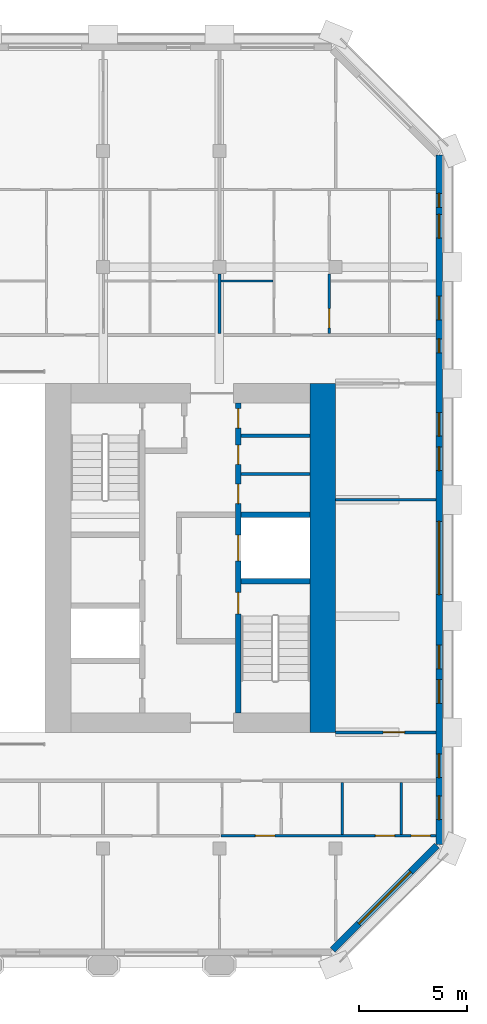
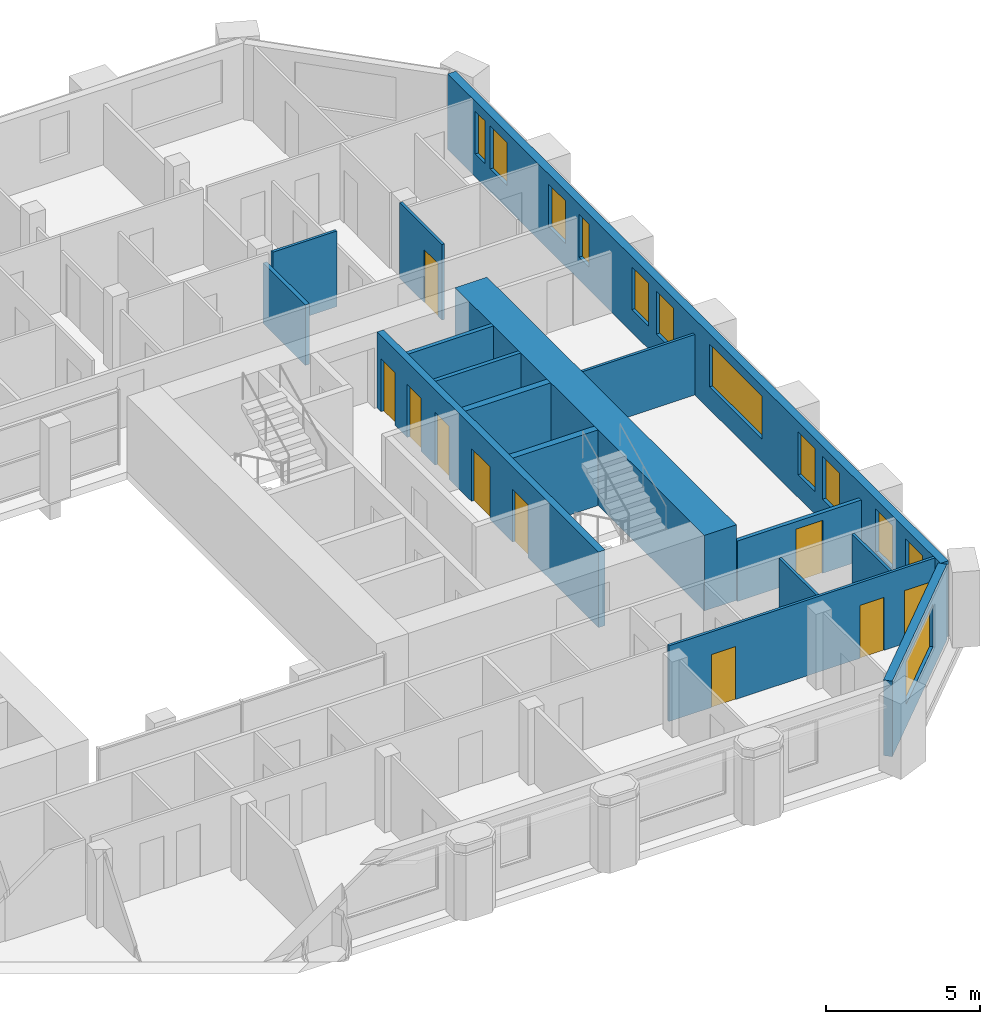
# One storey, part 7 of 13: 16 walls, 12 windows, 10 doors, 22 openings.
"""IFC4 building model written with IfcOpenShell, lengths in metres."""

from ifc_helpers import new_model, si_unit, direction, frame, frame_2d, origin, place, context, subcontext, project, spatial, rectangle, extrude, material, layer, layer_set, type_object, element, fill, save


model = new_model("IFC4")

# Units and contexts
model_context = context("Model", 3, precision=1e-05, world=origin(), true_north=direction((0.0, 1.0)))
body_context = subcontext(model_context, "Body", "Model", "MODEL_VIEW")
ifc_project = project(units=[si_unit("LENGTHUNIT", "METRE"), si_unit("AREAUNIT", "SQUARE_METRE"), si_unit("VOLUMEUNIT", "CUBIC_METRE"), si_unit("PLANEANGLEUNIT", "RADIAN"), si_unit("MASSUNIT", "GRAM", prefix="KILO")], contexts=[model_context])

# Site, building, storey
site_placement = place(None, origin())
site = spatial("IfcSite", under=ifc_project, at=site_placement, CompositionType="ELEMENT")
building_placement = place(site_placement, origin())
building = spatial("IfcBuilding", under=site, at=building_placement, Name="Tabaq Tower and Sports Hall", CompositionType="ELEMENT")
storey_placement = place(building_placement, frame((0.0, 0.0, 295.0)))
storey = spatial("IfcBuildingStorey", under=building, at=storey_placement, Name="L73", CompositionType="ELEMENT", Elevation=295.0)

# Walls
ifc_material_1 = material(Name="Blockwork", Category="masonry")
ifc_layer_1 = layer(ifc_material_1, 0.14990234375)
ifc_layer_set_1 = layer_set([ifc_layer_1], Name="Core room partition 150 Blockwork")
wall_type_1 = type_object("IfcWallType", Name="Core room partition 150 Blockwork", PredefinedType="PARTITIONING", material=ifc_layer_set_1)
for number, where, z_axis, x_axis, name in (
    (1, (38.800048828125, 28.200927734375, 0.0), (0.0, 0.0, 1.0), (1.0, 0.0, 0.0), "Core room partition E L73"),
    (2, (38.800048828125, 29.97705078125, 0.0), (0.0, 0.0, 1.0), (1.0, 0.0, 0.0), "Core room partition E L73"),
):
    element("IfcWall", number, at=place(storey_placement, frame(where, z_axis=z_axis, x_axis=x_axis)), inside=storey, type_object=wall_type_1, Name=name, PredefinedType="PARTITIONING", context=body_context, shape_type="SweptSolid", body=[
        extrude(rectangle(XDim=3.199951171875, YDim=0.14990234375, at=frame_2d((1.60009765625, 0.0))), origin(), (0.0, 0.0, 1.0), 3.0),
    ])
ifc_material_2 = material(Name="Concrete C40/50", Category="concrete")
ifc_layer_2 = layer(ifc_material_2, 1.199951171875)
ifc_layer_set_2 = layer_set([ifc_layer_2], Name="Core wall 1200 Concrete C40/50")
wall_type_2 = type_object("IfcWallType", Name="Core wall 1200 Concrete C40/50", PredefinedType="SOLIDWALL", material=ifc_layer_set_2)
wall_1_placement = place(storey_placement, frame((42.60009765625, 32.39990234375, 0.0), z_axis=(0.0, 0.0, 1.0), x_axis=(0.0, -1.0, 0.0)))
element("IfcWall", 3, at=wall_1_placement, inside=storey, type_object=wall_type_2, Name="Core wall E L73", PredefinedType="SOLIDWALL", context=body_context, shape_type="SweptSolid", body=[
    extrude(rectangle(XDim=16.199951171875, YDim=1.199951171875, at=frame_2d((8.10009765625, 0.0))), origin(), (0.0, 0.0, 1.0), 3.0),
])
ifc_material_3 = material(Name="Gypsum board on steel studs", Category="steel")
ifc_layer_3 = layer(ifc_material_3, 0.10009765625)
ifc_layer_set_3 = layer_set([ifc_layer_3], Name="Partition 100 Gypsum board")
wall_type_3 = type_object("IfcWallType", Name="Partition 100 Gypsum board", PredefinedType="PARTITIONING", material=ifc_layer_set_3)
wall_2_placement = place(storey_placement, frame((37.875, 37.14990234375, 0.0), z_axis=(0.0, 0.0, 1.0), x_axis=(1.0, 0.0, 0.0)))
element("IfcWall", 4, at=wall_2_placement, inside=storey, type_object=wall_type_3, Name="Partition wall L73", PredefinedType="PARTITIONING", context=body_context, shape_type="SweptSolid", body=[
    extrude(rectangle(XDim=2.406005859375, YDim=0.10009765625, at=frame_2d((1.203125, 0.0))), origin(), (0.0, 0.0, 1.0), 3.0),
])

# Wall, opening, door
wall_3_placement = place(storey_placement, frame((42.89990234375, 34.72509765625, 0.0), z_axis=(0.0, 0.0, 1.0), x_axis=(0.0, 1.0, 0.0)))
wall_3 = element("IfcWall", 5, at=wall_3_placement, inside=storey, type_object=wall_type_3, Name="Partition wall L73", PredefinedType="PARTITIONING", context=body_context, shape_type="SweptSolid", body=[
    extrude(rectangle(XDim=2.7548828125, YDim=0.10009765625, at=frame_2d((1.37744140625, 0.0))), origin(), (0.0, 0.0, 1.0), 3.0),
])
opening_1_placement = place(wall_3_placement, frame((0.25, 0.0, 0.0)))
opening_1 = element("IfcOpeningElement", 6, at=opening_1_placement, cuts=wall_3, Name="Opening L73-015", PredefinedType="OPENING", context=body_context, shape_type="SweptSolid", body=[
    extrude(rectangle(XDim=0.89990234375, YDim=2.10009765625, at=frame_2d((0.449951171875, 1.050048828125))), frame((0.0, 0.050048828125, 0.0), z_axis=(0.0, -1.0, 0.0), x_axis=(1.0, 0.0, 0.0)), (0.0, 0.0, 1.0), 0.10009765625),
])
ifc_material_4 = material(Name="Timber leaf in steel frame", Category="steel")
door_type_1 = type_object("IfcDoorType", Name="Internal door 900 left hand", OperationType="SINGLE_SWING_LEFT", PredefinedType="DOOR", material=ifc_material_4)
door_1_placement = place(opening_1_placement, origin())
door_1 = element("IfcDoor", 7, at=door_1_placement, inside=storey, type_object=door_type_1, Name="Internal door L73-015", OperationType="SINGLE_SWING_LEFT", OverallHeight=2.10009765625, OverallWidth=0.89990234375, PredefinedType="DOOR", context=body_context, shape_type="SweptSolid", body=[
    extrude(rectangle(XDim=0.89990234375, YDim=2.10009765625, at=frame_2d((0.449951171875, 1.050048828125))), frame((0.0, 0.02490234375, 0.0), z_axis=(0.0, -1.0, 0.0), x_axis=(1.0, 0.0, 0.0)), (0.0, 0.0, 1.0), 0.050048828125),
])
fill(opening_1, door_1)

# Wall
wall_4_placement = place(storey_placement, frame((43.199951171875, 27.0, 0.0), z_axis=(0.0, 0.0, 1.0), x_axis=(1.0, 0.0, 0.0)))
element("IfcWall", 8, at=wall_4_placement, inside=storey, type_object=wall_type_3, Name="Partition wall L73", PredefinedType="PARTITIONING", context=body_context, shape_type="SweptSolid", body=[
    extrude(rectangle(XDim=4.649169921875, YDim=0.10009765625, at=frame_2d((2.32470703125, 0.0))), origin(), (0.0, 0.0, 1.0), 2.39990234375),
])

# Wall, openings, doors
wall_5_placement = place(storey_placement, frame((47.84912109375, 11.39990234375, 0.0), z_axis=(0.0, 0.0, 1.0), x_axis=(-1.0, 0.0, 0.0)))
wall_5 = element("IfcWall", 9, at=wall_5_placement, inside=storey, type_object=wall_type_3, Name="Partition wall L73", PredefinedType="PARTITIONING", context=body_context, shape_type="SweptSolid", body=[
    extrude(rectangle(XDim=9.97412109375, YDim=0.10009765625, at=frame_2d((4.987060546875, 0.0))), origin(), (0.0, 0.0, 1.0), 3.0),
])
opening_2_placement = place(wall_5_placement, frame((1.908935546875, 0.0, 0.0)))
opening_2 = element("IfcOpeningElement", 10, at=opening_2_placement, cuts=wall_5, Name="Opening L73-026", PredefinedType="OPENING", context=body_context, shape_type="SweptSolid", body=[
    extrude(rectangle(XDim=0.89990234375, YDim=2.10009765625, at=frame_2d((0.449951171875, 1.050048828125))), frame((0.0, 0.050048828125, 0.0), z_axis=(0.0, -1.0, 0.0), x_axis=(1.0, 0.0, 0.0)), (0.0, 0.0, 1.0), 0.10009765625),
])
opening_3_placement = place(wall_5_placement, frame((0.25, 0.0, 0.0)))
opening_3 = element("IfcOpeningElement", 11, at=opening_3_placement, cuts=wall_5, Name="Opening L73-027", PredefinedType="OPENING", context=body_context, shape_type="SweptSolid", body=[
    extrude(rectangle(XDim=0.89990234375, YDim=2.10009765625, at=frame_2d((0.449951171875, 1.050048828125))), frame((0.0, 0.050048828125, 0.0), z_axis=(0.0, -1.0, 0.0), x_axis=(1.0, 0.0, 0.0)), (0.0, 0.0, 1.0), 0.10009765625),
])
opening_4_placement = place(wall_5_placement, frame((7.47412109375, 0.0, 0.0)))
opening_4 = element("IfcOpeningElement", 12, at=opening_4_placement, cuts=wall_5, Name="Opening L73-060", PredefinedType="OPENING", context=body_context, shape_type="SweptSolid", body=[
    extrude(rectangle(XDim=0.89990234375, YDim=2.10009765625, at=frame_2d((0.449951171875, 1.050048828125))), frame((0.0, 0.050048828125, 0.0), z_axis=(0.0, -1.0, 0.0), x_axis=(1.0, 0.0, 0.0)), (0.0, 0.0, 1.0), 0.10009765625),
])
door_2_placement = place(opening_2_placement, origin())
door_2 = element("IfcDoor", 13, at=door_2_placement, inside=storey, type_object=door_type_1, Name="Internal door L73-026", OperationType="SINGLE_SWING_LEFT", OverallHeight=2.10009765625, OverallWidth=0.89990234375, PredefinedType="DOOR", context=body_context, shape_type="SweptSolid", body=[
    extrude(rectangle(XDim=0.89990234375, YDim=2.10009765625, at=frame_2d((0.449951171875, 1.050048828125))), frame((0.0, 0.02490234375, 0.0), z_axis=(0.0, -1.0, 0.0), x_axis=(1.0, 0.0, 0.0)), (0.0, 0.0, 1.0), 0.050048828125),
])
fill(opening_2, door_2)
ifc_material_5 = material(Name="Timber leaf in steel frame", Category="steel")
door_type_2 = type_object("IfcDoorType", Name="Internal door 900 right hand", OperationType="SINGLE_SWING_RIGHT", PredefinedType="DOOR", material=ifc_material_5)
door_3_placement = place(opening_3_placement, origin())
door_3 = element("IfcDoor", 14, at=door_3_placement, inside=storey, type_object=door_type_2, Name="Internal door L73-027", OperationType="SINGLE_SWING_RIGHT", OverallHeight=2.10009765625, OverallWidth=0.89990234375, PredefinedType="DOOR", context=body_context, shape_type="SweptSolid", body=[
    extrude(rectangle(XDim=0.89990234375, YDim=2.10009765625, at=frame_2d((0.449951171875, 1.050048828125))), frame((0.0, 0.02490234375, 0.0), z_axis=(0.0, -1.0, 0.0), x_axis=(1.0, 0.0, 0.0)), (0.0, 0.0, 1.0), 0.050048828125),
])
fill(opening_3, door_3)
door_4_placement = place(opening_4_placement, origin())
door_4 = element("IfcDoor", 15, at=door_4_placement, inside=storey, type_object=door_type_2, Name="Internal door L73-060", OperationType="SINGLE_SWING_RIGHT", OverallHeight=2.10009765625, OverallWidth=0.89990234375, PredefinedType="DOOR", context=body_context, shape_type="SweptSolid", body=[
    extrude(rectangle(XDim=0.89990234375, YDim=2.10009765625, at=frame_2d((0.449951171875, 1.050048828125))), frame((0.0, 0.02490234375, 0.0), z_axis=(0.0, -1.0, 0.0), x_axis=(1.0, 0.0, 0.0)), (0.0, 0.0, 1.0), 0.050048828125),
])
fill(opening_4, door_4)

# Walls
for number, where, z_axis, x_axis, name in (
    (16, (43.5048828125, 11.449951171875, 0.0), (0.0, 0.0, 1.0), (0.0, 1.0, 0.0), "Partition wall L73"),
    (17, (46.239990234375, 11.449951171875, 0.0), (0.0, 0.0, 1.0), (0.0, 1.0, 0.0), "Partition wall L73"),
):
    element("IfcWall", number, at=place(storey_placement, frame(where, z_axis=z_axis, x_axis=x_axis)), inside=storey, type_object=wall_type_3, Name=name, PredefinedType="PARTITIONING", context=body_context, shape_type="SweptSolid", body=[
        extrude(rectangle(XDim=2.425048828125, YDim=0.10009765625, at=frame_2d((1.21240234375, 0.0))), origin(), (0.0, 0.0, 1.0), 3.0),
    ])
ifc_material_6 = material(Name="Blockwork", Category="masonry")
ifc_layer_4 = layer(ifc_material_6, 0.14990234375)
ifc_layer_set_4 = layer_set([ifc_layer_4], Name="Separating wall 150 Blockwork")
wall_type_4 = type_object("IfcWallType", Name="Separating wall 150 Blockwork", PredefinedType="PARTITIONING", material=ifc_layer_set_4)
wall_6_placement = place(storey_placement, frame((37.800048828125, 34.72509765625, 0.0), z_axis=(0.0, 0.0, 1.0), x_axis=(0.0, 1.0, 0.0)))
element("IfcWall", 18, at=wall_6_placement, inside=storey, type_object=wall_type_4, Name="Separating wall L73", PredefinedType="PARTITIONING", context=body_context, shape_type="SweptSolid", body=[
    extrude(rectangle(XDim=2.7548828125, YDim=0.14990234375, at=frame_2d((1.37744140625, 0.0))), origin(), (0.0, 0.0, 1.0), 2.39990234375),
])

# Wall, opening, door
wall_7_placement = place(storey_placement, frame((43.199951171875, 16.199951171875, 0.0), z_axis=(0.0, 0.0, 1.0), x_axis=(1.0, 0.0, 0.0)))
wall_7 = element("IfcWall", 19, at=wall_7_placement, inside=storey, type_object=wall_type_4, Name="Separating wall L73", PredefinedType="PARTITIONING", context=body_context, shape_type="SweptSolid", body=[
    extrude(rectangle(XDim=4.649169921875, YDim=0.14990234375, at=frame_2d((2.32470703125, 0.0))), origin(), (0.0, 0.0, 1.0), 2.39990234375),
])
opening_5_placement = place(wall_7_placement, frame((2.199951171875, 0.0, 0.0)))
opening_5 = element("IfcOpeningElement", 20, at=opening_5_placement, cuts=wall_7, Name="Opening L73-030", PredefinedType="OPENING", context=body_context, shape_type="SweptSolid", body=[
    extrude(rectangle(XDim=1.0, YDim=2.10009765625, at=frame_2d((0.5, 1.050048828125))), frame((0.0, 0.074951171875, 0.0), z_axis=(0.0, -1.0, 0.0), x_axis=(1.0, 0.0, 0.0)), (0.0, 0.0, 1.0), 0.14990234375),
])
ifc_material_7 = material(Name="Timber leaf in steel frame", Category="steel")
door_type_3 = type_object("IfcDoorType", Name="Internal door 1000 left hand", OperationType="SINGLE_SWING_LEFT", PredefinedType="DOOR", material=ifc_material_7)
door_5_placement = place(opening_5_placement, origin())
door_5 = element("IfcDoor", 21, at=door_5_placement, inside=storey, type_object=door_type_3, Name="Internal door L73-030", OperationType="SINGLE_SWING_LEFT", OverallHeight=2.10009765625, OverallWidth=1.0, PredefinedType="DOOR", context=body_context, shape_type="SweptSolid", body=[
    extrude(rectangle(XDim=1.0, YDim=2.10009765625, at=frame_2d((0.5, 1.050048828125))), frame((0.0, 0.02490234375, 0.0), z_axis=(0.0, -1.0, 0.0), x_axis=(1.0, 0.0, 0.0)), (0.0, 0.0, 1.0), 0.050048828125),
])
fill(opening_5, door_5)

# Wall, openings, doors
ifc_material_8 = material(Name="Concrete C40/50", Category="concrete")
ifc_layer_5 = layer(ifc_material_8, 0.25)
ifc_layer_set_5 = layer_set([ifc_layer_5], Name="Shaft and stair wall 250 Concrete C40/50")
wall_type_5 = type_object("IfcWallType", Name="Shaft and stair wall 250 Concrete C40/50", PredefinedType="SOLIDWALL", material=ifc_layer_set_5)
wall_8_placement = place(storey_placement, frame((38.675048828125, 17.10009765625, 0.0), z_axis=(0.0, 0.0, 1.0), x_axis=(0.0, 1.0, 0.0)))
wall_8 = element("IfcWall", 22, at=wall_8_placement, inside=storey, type_object=wall_type_5, Name="Shaft wall E L73", PredefinedType="SOLIDWALL", context=body_context, shape_type="SweptSolid", body=[
    extrude(rectangle(XDim=14.39990234375, YDim=0.25, at=frame_2d((7.199951171875, 0.0))), origin(), (0.0, 0.0, 1.0), 3.0),
])
opening_6_placement = place(wall_8_placement, frame((4.60009765625, 0.0, 0.0)))
opening_6 = element("IfcOpeningElement", 23, at=opening_6_placement, cuts=wall_8, Name="Opening SD-EL73-03", PredefinedType="OPENING", context=body_context, shape_type="SweptSolid", body=[
    extrude(rectangle(XDim=1.0, YDim=2.10009765625, at=frame_2d((0.5, 1.050048828125))), frame((0.0, 0.125, 0.0), z_axis=(0.0, -1.0, 0.0), x_axis=(1.0, 0.0, 0.0)), (0.0, 0.0, 1.0), 0.25),
])
opening_7_placement = place(wall_8_placement, frame((7.0625, 0.0, 0.0)))
opening_7 = element("IfcOpeningElement", 24, at=opening_7_placement, cuts=wall_8, Name="Opening LD-FF2-L73", PredefinedType="OPENING", context=body_context, shape_type="SweptSolid", body=[
    extrude(rectangle(XDim=1.199951171875, YDim=2.10009765625, at=frame_2d((0.60009765625, 1.050048828125))), frame((0.0, 0.125, 0.0), z_axis=(0.0, -1.0, 0.0), x_axis=(1.0, 0.0, 0.0)), (0.0, 0.0, 1.0), 0.25),
])
opening_8_placement = place(wall_8_placement, frame((9.7255859375, 0.0, 0.0)))
opening_8 = element("IfcOpeningElement", 25, at=opening_8_placement, cuts=wall_8, Name="Opening RD-EL73-09", PredefinedType="OPENING", context=body_context, shape_type="SweptSolid", body=[
    extrude(rectangle(XDim=0.89990234375, YDim=2.10009765625, at=frame_2d((0.449951171875, 1.050048828125))), frame((0.0, 0.125, 0.0), z_axis=(0.0, -1.0, 0.0), x_axis=(1.0, 0.0, 0.0)), (0.0, 0.0, 1.0), 0.25),
])
opening_9_placement = place(wall_8_placement, frame((11.5390625, 0.0, 0.0)))
opening_9 = element("IfcOpeningElement", 26, at=opening_9_placement, cuts=wall_8, Name="Opening RD-EL73-10", PredefinedType="OPENING", context=body_context, shape_type="SweptSolid", body=[
    extrude(rectangle(XDim=0.89990234375, YDim=2.10009765625, at=frame_2d((0.449951171875, 1.050048828125))), frame((0.0, 0.125, 0.0), z_axis=(0.0, -1.0, 0.0), x_axis=(1.0, 0.0, 0.0)), (0.0, 0.0, 1.0), 0.25),
])
opening_10_placement = place(wall_8_placement, frame((13.22607421875, 0.0, 0.0)))
opening_10 = element("IfcOpeningElement", 27, at=opening_10_placement, cuts=wall_8, Name="Opening RD-EL73-11", PredefinedType="OPENING", context=body_context, shape_type="SweptSolid", body=[
    extrude(rectangle(XDim=0.89990234375, YDim=2.10009765625, at=frame_2d((0.449951171875, 1.050048828125))), frame((0.0, 0.125, 0.0), z_axis=(0.0, -1.0, 0.0), x_axis=(1.0, 0.0, 0.0)), (0.0, 0.0, 1.0), 0.25),
])
ifc_material_9 = material(Name="Steel fire door", Category="steel")
door_type_4 = type_object("IfcDoorType", Name="Core room door 900", OperationType="SINGLE_SWING_LEFT", PredefinedType="DOOR", material=ifc_material_9)
door_6_placement = place(opening_8_placement, origin())
door_6 = element("IfcDoor", 28, at=door_6_placement, inside=storey, type_object=door_type_4, Name="Door Cleaner's Store E L73", OperationType="SINGLE_SWING_LEFT", OverallHeight=2.10009765625, OverallWidth=0.89990234375, PredefinedType="DOOR", context=body_context, shape_type="SweptSolid", body=[
    extrude(rectangle(XDim=0.89990234375, YDim=2.10009765625, at=frame_2d((0.449951171875, 1.050048828125))), frame((0.0, 0.02490234375, 0.0), z_axis=(0.0, -1.0, 0.0), x_axis=(1.0, 0.0, 0.0)), (0.0, 0.0, 1.0), 0.050048828125),
])
fill(opening_8, door_6)
door_7_placement = place(opening_9_placement, origin())
door_7 = element("IfcDoor", 29, at=door_7_placement, inside=storey, type_object=door_type_4, Name="Door Refuse Room E L73", OperationType="SINGLE_SWING_LEFT", OverallHeight=2.10009765625, OverallWidth=0.89990234375, PredefinedType="DOOR", context=body_context, shape_type="SweptSolid", body=[
    extrude(rectangle(XDim=0.89990234375, YDim=2.10009765625, at=frame_2d((0.449951171875, 1.050048828125))), frame((0.0, 0.02490234375, 0.0), z_axis=(0.0, -1.0, 0.0), x_axis=(1.0, 0.0, 0.0)), (0.0, 0.0, 1.0), 0.050048828125),
])
fill(opening_9, door_7)
door_8_placement = place(opening_10_placement, origin())
door_8 = element("IfcDoor", 30, at=door_8_placement, inside=storey, type_object=door_type_4, Name="Door Riser Room E L73", OperationType="SINGLE_SWING_LEFT", OverallHeight=2.10009765625, OverallWidth=0.89990234375, PredefinedType="DOOR", context=body_context, shape_type="SweptSolid", body=[
    extrude(rectangle(XDim=0.89990234375, YDim=2.10009765625, at=frame_2d((0.449951171875, 1.050048828125))), frame((0.0, 0.02490234375, 0.0), z_axis=(0.0, -1.0, 0.0), x_axis=(1.0, 0.0, 0.0)), (0.0, 0.0, 1.0), 0.050048828125),
])
fill(opening_10, door_8)
ifc_material_10 = material(Name="Stainless steel", Category="steel")
door_type_5 = type_object("IfcDoorType", Name="Lift landing door 1200", OperationType="DOUBLE_DOOR_SLIDING", PredefinedType="DOOR", material=ifc_material_10)
door_9_placement = place(opening_7_placement, origin())
door_9 = element("IfcDoor", 31, at=door_9_placement, inside=storey, type_object=door_type_5, Name="Lift landing door FF2 E L73", OperationType="DOUBLE_DOOR_SLIDING", OverallHeight=2.10009765625, OverallWidth=1.199951171875, PredefinedType="DOOR", context=body_context, shape_type="SweptSolid", body=[
    extrude(rectangle(XDim=1.199951171875, YDim=2.10009765625, at=frame_2d((0.60009765625, 1.050048828125))), frame((0.0, 0.02490234375, 0.0), z_axis=(0.0, -1.0, 0.0), x_axis=(1.0, 0.0, 0.0)), (0.0, 0.0, 1.0), 0.050048828125),
])
fill(opening_7, door_9)
ifc_material_11 = material(Name="Steel fire door", Category="steel")
door_type_6 = type_object("IfcDoorType", Name="Stair door 1000", OperationType="SINGLE_SWING_LEFT", PredefinedType="DOOR", material=ifc_material_11)
door_10_placement = place(opening_6_placement, origin())
door_10 = element("IfcDoor", 32, at=door_10_placement, inside=storey, type_object=door_type_6, Name="Stair door ST3 E L73", OperationType="SINGLE_SWING_LEFT", OverallHeight=2.10009765625, OverallWidth=1.0, PredefinedType="DOOR", context=body_context, shape_type="SweptSolid", body=[
    extrude(rectangle(XDim=1.0, YDim=2.10009765625, at=frame_2d((0.5, 1.050048828125))), frame((0.0, 0.02490234375, 0.0), z_axis=(0.0, -1.0, 0.0), x_axis=(1.0, 0.0, 0.0)), (0.0, 0.0, 1.0), 0.050048828125),
])
fill(opening_6, door_10)

# Walls
for number, where, z_axis, x_axis, name in (
    (33, (38.800048828125, 23.22509765625, 0.0), (0.0, 0.0, 1.0), (1.0, 0.0, 0.0), "Stair enclosure wall E L73"),
    (34, (38.800048828125, 26.300048828125, 0.0), (0.0, 0.0, 1.0), (1.0, 0.0, 0.0), "Shaft wall E L73"),
):
    element("IfcWall", number, at=place(storey_placement, frame(where, z_axis=z_axis, x_axis=x_axis)), inside=storey, type_object=wall_type_5, Name=name, PredefinedType="SOLIDWALL", context=body_context, shape_type="SweptSolid", body=[
        extrude(rectangle(XDim=3.199951171875, YDim=0.25, at=frame_2d((1.60009765625, 0.0))), origin(), (0.0, 0.0, 1.0), 3.0),
    ])

# Wall, opening, window
ifc_material_12 = material(Name="White precast concrete C60/75", Category="concrete")
ifc_layer_6 = layer(ifc_material_12, 0.300048828125)
ifc_layer_set_6 = layer_set([ifc_layer_6], Name="White precast concrete C60/75 external wall 300")
wall_type_6 = type_object("IfcWallType", Name="White precast concrete C60/75 external wall 300", PredefinedType="SOLIDWALL", material=ifc_layer_set_6)
wall_9_placement = place(storey_placement, frame((43.050537109375, 6.098876953125, 0.0), z_axis=(0.0, 0.0, 1.0), x_axis=(0.707106781187, 0.707106781187, 0.0)))
wall_9 = element("IfcWall", 35, at=wall_9_placement, inside=storey, type_object=wall_type_6, Name="External Wall L73 SE", PredefinedType="SOLIDWALL", context=body_context, shape_type="SweptSolid", body=[
    extrude(rectangle(XDim=6.85986328125, YDim=0.300048828125, at=frame_2d((3.429931640625, 0.0))), origin(), (0.0, 0.0, 1.0), 3.0),
])
opening_11_placement = place(wall_9_placement, frame((1.729736328125, 0.0, 0.89990234375)))
opening_11 = element("IfcOpeningElement", 36, at=opening_11_placement, cuts=wall_9, Name="Opening W1A", PredefinedType="OPENING", context=body_context, shape_type="SweptSolid", body=[
    extrude(rectangle(XDim=3.39990234375, YDim=1.699951171875, at=frame_2d((1.699951171875, 0.85009765625))), frame((0.0, 0.16015625, 0.0), z_axis=(0.0, -1.0, 0.0), x_axis=(1.0, 0.0, 0.0)), (0.0, 0.0, 1.0), 0.320068359375),
])
ifc_material_13 = material(Name="Aluminium framed clear glazing", Category="aluminium")
window_type_1 = type_object("IfcWindowType", Name="Window W1A", PartitioningType="SINGLE_PANEL", PredefinedType="WINDOW", material=ifc_material_13)
window_1_placement = place(opening_11_placement, origin())
window_1 = element("IfcWindow", 37, at=window_1_placement, inside=storey, type_object=window_type_1, Name="Window W1A L73", OverallHeight=1.699951171875, OverallWidth=3.39990234375, PartitioningType="SINGLE_PANEL", PredefinedType="WINDOW", context=body_context, shape_type="SweptSolid", body=[
    extrude(rectangle(XDim=3.39990234375, YDim=1.699951171875, at=frame_2d((1.699951171875, 0.85009765625))), frame((0.0, 0.030029296875, 0.0), z_axis=(0.0, -1.0, 0.0), x_axis=(1.0, 0.0, 0.0)), (0.0, 0.0, 1.0), 0.06005859375),
])
fill(opening_11, window_1)

# Wall, openings, windows
wall_10_placement = place(storey_placement, frame((48.0, 10.986328125, 0.0), z_axis=(0.0, 0.0, 1.0), x_axis=(0.0, 1.0, 0.0)))
wall_10 = element("IfcWall", 38, at=wall_10_placement, inside=storey, type_object=wall_type_6, Name="External Wall L73 E", PredefinedType="SOLIDWALL", context=body_context, shape_type="SweptSolid", body=[
    extrude(rectangle(XDim=32.02734375, YDim=0.300048828125, at=frame_2d((16.013671875, 0.0))), origin(), (0.0, 0.0, 1.0), 3.0),
])
opening_12_placement = place(wall_10_placement, frame((1.16357421875, 0.0, 0.89990234375)))
opening_12 = element("IfcOpeningElement", 39, at=opening_12_placement, cuts=wall_10, Name="Opening W1B", PredefinedType="OPENING", context=body_context, shape_type="SweptSolid", body=[
    extrude(rectangle(XDim=1.10009765625, YDim=1.699951171875, at=frame_2d((0.550048828125, 0.85009765625))), frame((0.0, 0.16015625, 0.0), z_axis=(0.0, -1.0, 0.0), x_axis=(1.0, 0.0, 0.0)), (0.0, 0.0, 1.0), 0.320068359375),
])
opening_13_placement = place(wall_10_placement, frame((3.113525390625, 0.0, 0.89990234375)))
opening_13 = element("IfcOpeningElement", 40, at=opening_13_placement, cuts=wall_10, Name="Opening W1B", PredefinedType="OPENING", context=body_context, shape_type="SweptSolid", body=[
    extrude(rectangle(XDim=1.10009765625, YDim=1.699951171875, at=frame_2d((0.550048828125, 0.85009765625))), frame((0.0, 0.16015625, 0.0), z_axis=(0.0, -1.0, 0.0), x_axis=(1.0, 0.0, 0.0)), (0.0, 0.0, 1.0), 0.320068359375),
])
opening_14_placement = place(wall_10_placement, frame((6.563720703125, 0.0, 0.89990234375)))
opening_14 = element("IfcOpeningElement", 41, at=opening_14_placement, cuts=wall_10, Name="Opening W1B", PredefinedType="OPENING", context=body_context, shape_type="SweptSolid", body=[
    extrude(rectangle(XDim=1.10009765625, YDim=1.699951171875, at=frame_2d((0.550048828125, 0.85009765625))), frame((0.0, 0.16015625, 0.0), z_axis=(0.0, -1.0, 0.0), x_axis=(1.0, 0.0, 0.0)), (0.0, 0.0, 1.0), 0.320068359375),
])
opening_15_placement = place(wall_10_placement, frame((8.16357421875, 0.0, 0.89990234375)))
opening_15 = element("IfcOpeningElement", 42, at=opening_15_placement, cuts=wall_10, Name="Opening W1B", PredefinedType="OPENING", context=body_context, shape_type="SweptSolid", body=[
    extrude(rectangle(XDim=1.10009765625, YDim=1.699951171875, at=frame_2d((0.550048828125, 0.85009765625))), frame((0.0, 0.16015625, 0.0), z_axis=(0.0, -1.0, 0.0), x_axis=(1.0, 0.0, 0.0)), (0.0, 0.0, 1.0), 0.320068359375),
])
opening_16_placement = place(wall_10_placement, frame((11.613525390625, 0.0, 0.89990234375)))
opening_16 = element("IfcOpeningElement", 43, at=opening_16_placement, cuts=wall_10, Name="Opening W1A", PredefinedType="OPENING", context=body_context, shape_type="SweptSolid", body=[
    extrude(rectangle(XDim=3.39990234375, YDim=1.699951171875, at=frame_2d((1.699951171875, 0.85009765625))), frame((0.0, 0.16015625, 0.0), z_axis=(0.0, -1.0, 0.0), x_axis=(1.0, 0.0, 0.0)), (0.0, 0.0, 1.0), 0.320068359375),
])
opening_17_placement = place(wall_10_placement, frame((17.363525390625, 0.0, 0.89990234375)))
opening_17 = element("IfcOpeningElement", 44, at=opening_17_placement, cuts=wall_10, Name="Opening W1B", PredefinedType="OPENING", context=body_context, shape_type="SweptSolid", body=[
    extrude(rectangle(XDim=1.10009765625, YDim=1.699951171875, at=frame_2d((0.550048828125, 0.85009765625))), frame((0.0, 0.16015625, 0.0), z_axis=(0.0, -1.0, 0.0), x_axis=(1.0, 0.0, 0.0)), (0.0, 0.0, 1.0), 0.320068359375),
])
opening_18_placement = place(wall_10_placement, frame((18.963623046875, 0.0, 0.89990234375)))
opening_18 = element("IfcOpeningElement", 45, at=opening_18_placement, cuts=wall_10, Name="Opening W1B", PredefinedType="OPENING", context=body_context, shape_type="SweptSolid", body=[
    extrude(rectangle(XDim=1.10009765625, YDim=1.699951171875, at=frame_2d((0.550048828125, 0.85009765625))), frame((0.0, 0.16015625, 0.0), z_axis=(0.0, -1.0, 0.0), x_axis=(1.0, 0.0, 0.0)), (0.0, 0.0, 1.0), 0.320068359375),
])
opening_19_placement = place(wall_10_placement, frame((22.838623046875, 0.0, 0.89990234375)))
opening_19 = element("IfcOpeningElement", 46, at=opening_19_placement, cuts=wall_10, Name="Opening W1C", PredefinedType="OPENING", context=body_context, shape_type="SweptSolid", body=[
    extrude(rectangle(XDim=0.64990234375, YDim=1.699951171875, at=frame_2d((0.324951171875, 0.85009765625))), frame((0.0, 0.16015625, 0.0), z_axis=(0.0, -1.0, 0.0), x_axis=(1.0, 0.0, 0.0)), (0.0, 0.0, 1.0), 0.320068359375),
])
opening_20_placement = place(wall_10_placement, frame((24.363525390625, 0.0, 0.89990234375)))
opening_20 = element("IfcOpeningElement", 47, at=opening_20_placement, cuts=wall_10, Name="Opening W1B", PredefinedType="OPENING", context=body_context, shape_type="SweptSolid", body=[
    extrude(rectangle(XDim=1.10009765625, YDim=1.699951171875, at=frame_2d((0.550048828125, 0.85009765625))), frame((0.0, 0.16015625, 0.0), z_axis=(0.0, -1.0, 0.0), x_axis=(1.0, 0.0, 0.0)), (0.0, 0.0, 1.0), 0.320068359375),
])
opening_21_placement = place(wall_10_placement, frame((28.16357421875, 0.0, 0.89990234375)))
opening_21 = element("IfcOpeningElement", 48, at=opening_21_placement, cuts=wall_10, Name="Opening W1B", PredefinedType="OPENING", context=body_context, shape_type="SweptSolid", body=[
    extrude(rectangle(XDim=1.10009765625, YDim=1.699951171875, at=frame_2d((0.550048828125, 0.85009765625))), frame((0.0, 0.16015625, 0.0), z_axis=(0.0, -1.0, 0.0), x_axis=(1.0, 0.0, 0.0)), (0.0, 0.0, 1.0), 0.320068359375),
])
opening_22_placement = place(wall_10_placement, frame((29.588623046875, 0.0, 0.89990234375)))
opening_22 = element("IfcOpeningElement", 49, at=opening_22_placement, cuts=wall_10, Name="Opening W1C", PredefinedType="OPENING", context=body_context, shape_type="SweptSolid", body=[
    extrude(rectangle(XDim=0.64990234375, YDim=1.699951171875, at=frame_2d((0.324951171875, 0.85009765625))), frame((0.0, 0.16015625, 0.0), z_axis=(0.0, -1.0, 0.0), x_axis=(1.0, 0.0, 0.0)), (0.0, 0.0, 1.0), 0.320068359375),
])
window_2_placement = place(opening_16_placement, origin())
window_2 = element("IfcWindow", 50, at=window_2_placement, inside=storey, type_object=window_type_1, Name="Window W1A L73", OverallHeight=1.699951171875, OverallWidth=3.39990234375, PartitioningType="SINGLE_PANEL", PredefinedType="WINDOW", context=body_context, shape_type="SweptSolid", body=[
    extrude(rectangle(XDim=3.39990234375, YDim=1.699951171875, at=frame_2d((1.699951171875, 0.85009765625))), frame((0.0, 0.030029296875, 0.0), z_axis=(0.0, -1.0, 0.0), x_axis=(1.0, 0.0, 0.0)), (0.0, 0.0, 1.0), 0.06005859375),
])
fill(opening_16, window_2)
ifc_material_14 = material(Name="Aluminium framed clear glazing", Category="aluminium")
window_type_2 = type_object("IfcWindowType", Name="Window W1B", PartitioningType="SINGLE_PANEL", PredefinedType="WINDOW", material=ifc_material_14)
window_3_placement = place(opening_12_placement, origin())
window_3 = element("IfcWindow", 51, at=window_3_placement, inside=storey, type_object=window_type_2, Name="Window W1B L73", OverallHeight=1.699951171875, OverallWidth=1.10009765625, PartitioningType="SINGLE_PANEL", PredefinedType="WINDOW", context=body_context, shape_type="SweptSolid", body=[
    extrude(rectangle(XDim=1.10009765625, YDim=1.699951171875, at=frame_2d((0.550048828125, 0.85009765625))), frame((0.0, 0.030029296875, 0.0), z_axis=(0.0, -1.0, 0.0), x_axis=(1.0, 0.0, 0.0)), (0.0, 0.0, 1.0), 0.06005859375),
])
fill(opening_12, window_3)
window_4_placement = place(opening_13_placement, origin())
window_4 = element("IfcWindow", 52, at=window_4_placement, inside=storey, type_object=window_type_2, Name="Window W1B L73", OverallHeight=1.699951171875, OverallWidth=1.10009765625, PartitioningType="SINGLE_PANEL", PredefinedType="WINDOW", context=body_context, shape_type="SweptSolid", body=[
    extrude(rectangle(XDim=1.10009765625, YDim=1.699951171875, at=frame_2d((0.550048828125, 0.85009765625))), frame((0.0, 0.030029296875, 0.0), z_axis=(0.0, -1.0, 0.0), x_axis=(1.0, 0.0, 0.0)), (0.0, 0.0, 1.0), 0.06005859375),
])
fill(opening_13, window_4)
window_5_placement = place(opening_14_placement, origin())
window_5 = element("IfcWindow", 53, at=window_5_placement, inside=storey, type_object=window_type_2, Name="Window W1B L73", OverallHeight=1.699951171875, OverallWidth=1.10009765625, PartitioningType="SINGLE_PANEL", PredefinedType="WINDOW", context=body_context, shape_type="SweptSolid", body=[
    extrude(rectangle(XDim=1.10009765625, YDim=1.699951171875, at=frame_2d((0.550048828125, 0.85009765625))), frame((0.0, 0.030029296875, 0.0), z_axis=(0.0, -1.0, 0.0), x_axis=(1.0, 0.0, 0.0)), (0.0, 0.0, 1.0), 0.06005859375),
])
fill(opening_14, window_5)
window_6_placement = place(opening_15_placement, origin())
window_6 = element("IfcWindow", 54, at=window_6_placement, inside=storey, type_object=window_type_2, Name="Window W1B L73", OverallHeight=1.699951171875, OverallWidth=1.10009765625, PartitioningType="SINGLE_PANEL", PredefinedType="WINDOW", context=body_context, shape_type="SweptSolid", body=[
    extrude(rectangle(XDim=1.10009765625, YDim=1.699951171875, at=frame_2d((0.550048828125, 0.85009765625))), frame((0.0, 0.030029296875, 0.0), z_axis=(0.0, -1.0, 0.0), x_axis=(1.0, 0.0, 0.0)), (0.0, 0.0, 1.0), 0.06005859375),
])
fill(opening_15, window_6)
window_7_placement = place(opening_17_placement, origin())
window_7 = element("IfcWindow", 55, at=window_7_placement, inside=storey, type_object=window_type_2, Name="Window W1B L73", OverallHeight=1.699951171875, OverallWidth=1.10009765625, PartitioningType="SINGLE_PANEL", PredefinedType="WINDOW", context=body_context, shape_type="SweptSolid", body=[
    extrude(rectangle(XDim=1.10009765625, YDim=1.699951171875, at=frame_2d((0.550048828125, 0.85009765625))), frame((0.0, 0.030029296875, 0.0), z_axis=(0.0, -1.0, 0.0), x_axis=(1.0, 0.0, 0.0)), (0.0, 0.0, 1.0), 0.06005859375),
])
fill(opening_17, window_7)
window_8_placement = place(opening_18_placement, origin())
window_8 = element("IfcWindow", 56, at=window_8_placement, inside=storey, type_object=window_type_2, Name="Window W1B L73", OverallHeight=1.699951171875, OverallWidth=1.10009765625, PartitioningType="SINGLE_PANEL", PredefinedType="WINDOW", context=body_context, shape_type="SweptSolid", body=[
    extrude(rectangle(XDim=1.10009765625, YDim=1.699951171875, at=frame_2d((0.550048828125, 0.85009765625))), frame((0.0, 0.030029296875, 0.0), z_axis=(0.0, -1.0, 0.0), x_axis=(1.0, 0.0, 0.0)), (0.0, 0.0, 1.0), 0.06005859375),
])
fill(opening_18, window_8)
window_9_placement = place(opening_20_placement, origin())
window_9 = element("IfcWindow", 57, at=window_9_placement, inside=storey, type_object=window_type_2, Name="Window W1B L73", OverallHeight=1.699951171875, OverallWidth=1.10009765625, PartitioningType="SINGLE_PANEL", PredefinedType="WINDOW", context=body_context, shape_type="SweptSolid", body=[
    extrude(rectangle(XDim=1.10009765625, YDim=1.699951171875, at=frame_2d((0.550048828125, 0.85009765625))), frame((0.0, 0.030029296875, 0.0), z_axis=(0.0, -1.0, 0.0), x_axis=(1.0, 0.0, 0.0)), (0.0, 0.0, 1.0), 0.06005859375),
])
fill(opening_20, window_9)
window_10_placement = place(opening_21_placement, origin())
window_10 = element("IfcWindow", 58, at=window_10_placement, inside=storey, type_object=window_type_2, Name="Window W1B L73", OverallHeight=1.699951171875, OverallWidth=1.10009765625, PartitioningType="SINGLE_PANEL", PredefinedType="WINDOW", context=body_context, shape_type="SweptSolid", body=[
    extrude(rectangle(XDim=1.10009765625, YDim=1.699951171875, at=frame_2d((0.550048828125, 0.85009765625))), frame((0.0, 0.030029296875, 0.0), z_axis=(0.0, -1.0, 0.0), x_axis=(1.0, 0.0, 0.0)), (0.0, 0.0, 1.0), 0.06005859375),
])
fill(opening_21, window_10)
ifc_material_15 = material(Name="Aluminium framed clear glazing", Category="aluminium")
window_type_3 = type_object("IfcWindowType", Name="Window W1C", PartitioningType="SINGLE_PANEL", PredefinedType="WINDOW", material=ifc_material_15)
window_11_placement = place(opening_19_placement, origin())
window_11 = element("IfcWindow", 59, at=window_11_placement, inside=storey, type_object=window_type_3, Name="Window W1C L73", OverallHeight=1.699951171875, OverallWidth=0.64990234375, PartitioningType="SINGLE_PANEL", PredefinedType="WINDOW", context=body_context, shape_type="SweptSolid", body=[
    extrude(rectangle(XDim=0.64990234375, YDim=1.699951171875, at=frame_2d((0.324951171875, 0.85009765625))), frame((0.0, 0.030029296875, 0.0), z_axis=(0.0, -1.0, 0.0), x_axis=(1.0, 0.0, 0.0)), (0.0, 0.0, 1.0), 0.06005859375),
])
fill(opening_19, window_11)
window_12_placement = place(opening_22_placement, origin())
window_12 = element("IfcWindow", 60, at=window_12_placement, inside=storey, type_object=window_type_3, Name="Window W1C L73", OverallHeight=1.699951171875, OverallWidth=0.64990234375, PartitioningType="SINGLE_PANEL", PredefinedType="WINDOW", context=body_context, shape_type="SweptSolid", body=[
    extrude(rectangle(XDim=0.64990234375, YDim=1.699951171875, at=frame_2d((0.324951171875, 0.85009765625))), frame((0.0, 0.030029296875, 0.0), z_axis=(0.0, -1.0, 0.0), x_axis=(1.0, 0.0, 0.0)), (0.0, 0.0, 1.0), 0.06005859375),
])
fill(opening_22, window_12)

save(model, "model.ifc")
